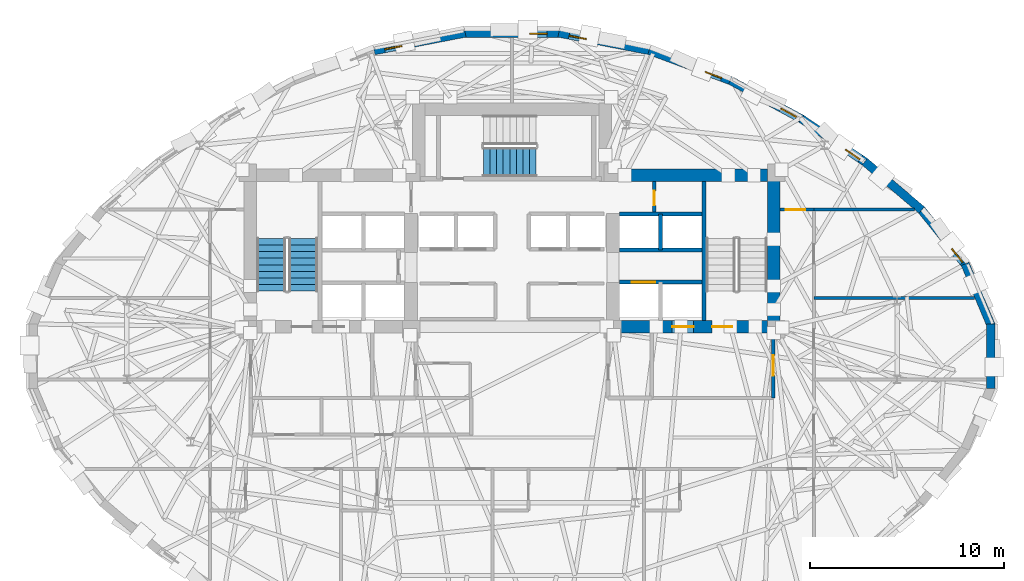
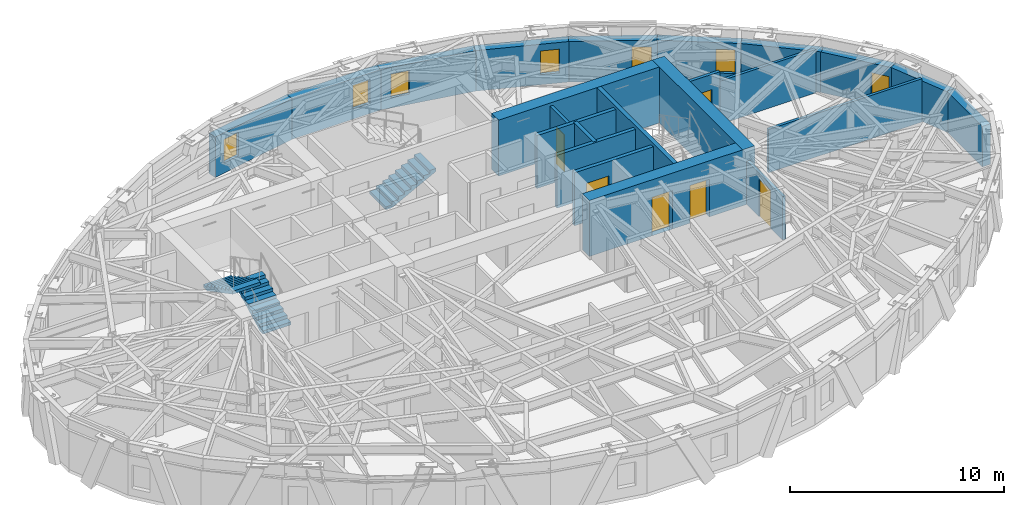
# One storey, part 9 of 14: 23 walls, 7 windows, 6 doors, 3 stair flights, 13 openings, 2 elements without a shape of their own.
"""IFC4 building model written with IfcOpenShell, lengths in metres."""

from ifc_helpers import new_model, si_unit, direction, frame, frame_2d, origin, place, context, subcontext, project, spatial, polyline, rectangle, outline, extrude, material, layer, layer_set, type_object, element, fill, aggregate, save


model = new_model("IFC4")

# Units and contexts
model_context = context("Model", 3, precision=1e-05, world=origin(), true_north=direction((0.0, 1.0)))
body_context = subcontext(model_context, "Body", "Model", "MODEL_VIEW")
ifc_project = project(units=[si_unit("LENGTHUNIT", "METRE"), si_unit("AREAUNIT", "SQUARE_METRE"), si_unit("VOLUMEUNIT", "CUBIC_METRE"), si_unit("PLANEANGLEUNIT", "RADIAN"), si_unit("MASSUNIT", "GRAM", prefix="KILO")], contexts=[model_context])

# Site, building, storey
site_placement = place(None, origin())
site = spatial("IfcSite", under=ifc_project, at=site_placement, CompositionType="ELEMENT")
building_placement = place(site_placement, origin())
building = spatial("IfcBuilding", under=site, at=building_placement, Name="Keldmark Tower", CompositionType="ELEMENT")
storey_placement = place(building_placement, frame((0.0, 0.0, 179.0)))
storey = spatial("IfcBuildingStorey", under=building, at=storey_placement, Name="L49", CompositionType="ELEMENT", Elevation=179.0)

# Wall, opening, door
ifc_material_1 = material(Name="Type X Fire-Rated Gypsum Partition Assembly", Category="gypsum")
ifc_layer_1 = layer(ifc_material_1, 0.1650390625)
ifc_layer_set_1 = layer_set([ifc_layer_1], Name="Type X Fire-Rated Gypsum Partition Assembly")
wall_type_1 = type_object("IfcWallType", Name="Rated Partition 165 mm", PredefinedType="PARTITIONING", material=ifc_layer_set_1)
wall_1_placement = place(storey_placement, frame((13.449951171875, -2.14990234375, 0.0), z_axis=(0.0, 0.0, 1.0), x_axis=(0.0, 1.0, 0.0)))
wall_1 = element("IfcWall", 1, at=wall_1_placement, inside=storey, type_object=wall_type_1, Name="L49 Rated Partition 165 mm FSAE-E-E", PredefinedType="PARTITIONING", context=body_context, shape_type="SweptSolid", body=[
    extrude(rectangle(XDim=3.39990234375, YDim=0.1650390625, at=frame_2d((1.699951171875, 0.0))), origin(), (0.0, 0.0, 1.0), 2.472900390625),
])
opening_1_placement = place(wall_1_placement, frame((1.14990234375, 0.0, 0.0)))
opening_1 = element("IfcOpeningElement", 2, at=opening_1_placement, cuts=wall_1, Name="Opening D-FL105", PredefinedType="OPENING", context=body_context, shape_type="SweptSolid", body=[
    extrude(rectangle(XDim=1.050048828125, YDim=2.14990234375, at=frame_2d((0.52490234375, 1.074951171875))), frame((0.0, 0.092529296875, 0.0), z_axis=(0.0, -1.0, 0.0), x_axis=(1.0, 0.0, 0.0)), (0.0, 0.0, 1.0), 0.18505859375),
])
ifc_material_2 = material(Name="Fire-Rated Mineral-Core Door and Vision Lite", Category="metal")
door_type_1 = type_object("IfcDoorType", Name="Fire Lobby Door 1050x2150", OperationType="NOTDEFINED", PredefinedType="DOOR", material=ifc_material_2)
door_1_placement = place(opening_1_placement, origin())
door_1 = element("IfcDoor", 3, at=door_1_placement, inside=storey, type_object=door_type_1, Name="L49 Fire Lobby Door 1050x2150 D-FSAEE-OUT-L49", OperationType="SINGLE_SWING_LEFT", OverallHeight=2.14990234375, OverallWidth=1.050048828125, PredefinedType="DOOR", context=body_context, shape_type="SweptSolid", body=[
    extrude(rectangle(XDim=1.050048828125, YDim=2.14990234375, at=frame_2d((0.52490234375, 1.074951171875))), frame((0.0, 0.02490234375, 0.0), z_axis=(0.0, -1.0, 0.0), x_axis=(1.0, 0.0, 0.0)), (0.0, 0.0, 1.0), 0.050048828125),
])
fill(opening_1, door_1)

wall_2_placement = place(storey_placement, frame((7.330078125, 7.419921875, 0.0), z_axis=(0.0, 0.0, 1.0), x_axis=(0.0, 1.0, 0.0)))
wall_2 = element("IfcWall", 4, at=wall_2_placement, inside=storey, type_object=wall_type_1, Name="L49 Rated Partition 165 mm CS-NE-W", PredefinedType="PARTITIONING", context=body_context, shape_type="SweptSolid", body=[
    extrude(rectangle(XDim=1.580078125, YDim=0.1650390625, at=frame_2d((0.7900390625, 0.0))), origin(), (0.0, 0.0, 1.0), 3.02001953125),
])
opening_2_placement = place(wall_2_placement, frame((0.35009765625, 0.0, 0.0)))
opening_2 = element("IfcOpeningElement", 5, at=opening_2_placement, cuts=wall_2, Name="Opening D-RS075", PredefinedType="OPENING", context=body_context, shape_type="SweptSolid", body=[
    extrude(rectangle(XDim=0.75, YDim=2.10009765625, at=frame_2d((0.375, 1.050048828125))), frame((0.0, 0.092529296875, 0.0), z_axis=(0.0, -1.0, 0.0), x_axis=(1.0, 0.0, 0.0)), (0.0, 0.0, 1.0), 0.18505859375),
])
ifc_material_3 = material(Name="Galvanized Fire-Rated Access Leaf", Category="metal")
door_type_2 = type_object("IfcDoorType", Name="Riser Access Door 750x2100", OperationType="NOTDEFINED", PredefinedType="DOOR", material=ifc_material_3)
door_2_placement = place(opening_2_placement, origin())
door_2 = element("IfcDoor", 6, at=door_2_placement, inside=storey, type_object=door_type_2, Name="L49 Riser Access Door 750x2100 D-CSNE1-L49", OperationType="SINGLE_SWING_LEFT", OverallHeight=2.10009765625, OverallWidth=0.75, PredefinedType="DOOR", context=body_context, shape_type="SweptSolid", body=[
    extrude(rectangle(XDim=0.75, YDim=2.10009765625, at=frame_2d((0.375, 1.050048828125))), frame((0.0, 0.02490234375, 0.0), z_axis=(0.0, -1.0, 0.0), x_axis=(1.0, 0.0, 0.0)), (0.0, 0.0, 1.0), 0.050048828125),
])
fill(opening_2, door_2)

wall_3_placement = place(storey_placement, frame((13.800048828125, 7.550048828125, 0.0), z_axis=(0.0, 0.0, 1.0), x_axis=(1.0, 0.0, 0.0)))
wall_3 = element("IfcWall", 7, at=wall_3_placement, inside=storey, type_object=wall_type_1, Name="L49 Rated Partition 165 mm HCOR-EN", PredefinedType="PARTITIONING", context=body_context, shape_type="SweptSolid", body=[
    extrude(rectangle(XDim=1.75, YDim=0.1650390625, at=frame_2d((0.875, 0.0))), origin(), (0.0, 0.0, 1.0), 3.02001953125),
])
opening_3_placement = place(wall_3_placement, frame((0.300048828125, 0.0, 0.0)))
opening_3 = element("IfcOpeningElement", 8, at=opening_3_placement, cuts=wall_3, Name="Opening D-FD100", PredefinedType="OPENING", context=body_context, shape_type="SweptSolid", body=[
    extrude(rectangle(XDim=1.0, YDim=2.14990234375, at=frame_2d((0.5, 1.074951171875))), frame((0.0, 0.092529296875, 0.0), z_axis=(0.0, -1.0, 0.0), x_axis=(1.0, 0.0, 0.0)), (0.0, 0.0, 1.0), 0.18505859375),
])
ifc_material_4 = material(Name="Hollow Metal Fire-Rated Corridor Door", Category="metal")
door_type_3 = type_object("IfcDoorType", Name="Fire Door 1000x2150", OperationType="NOTDEFINED", PredefinedType="DOOR", material=ifc_material_4)
door_3_placement = place(opening_3_placement, origin())
door_3 = element("IfcDoor", 9, at=door_3_placement, inside=storey, type_object=door_type_3, Name="L49 Fire Door 1000x2150 D-HNNE-L49", OperationType="SINGLE_SWING_RIGHT", OverallHeight=2.14990234375, OverallWidth=1.0, PredefinedType="DOOR", context=body_context, shape_type="SweptSolid", body=[
    extrude(rectangle(XDim=1.0, YDim=2.14990234375, at=frame_2d((0.5, 1.074951171875))), frame((0.0, 0.02490234375, 0.0), z_axis=(0.0, -1.0, 0.0), x_axis=(1.0, 0.0, 0.0)), (0.0, 0.0, 1.0), 0.050048828125),
])
fill(opening_3, door_3)

ifc_material_5 = material(Name="Fire-Resistant Type X Gypsum Shaftliner Coreboard", Category="gypsum")
ifc_layer_2 = layer(ifc_material_5, 0.199951171875)
ifc_layer_set_2 = layer_set([ifc_layer_2], Name="Fire-Resistant Type X Gypsum Shaftliner Coreboard")
wall_type_2 = type_object("IfcWallType", Name="Shaft Wall 200 mm", PredefinedType="SOLIDWALL", material=ifc_layer_set_2)
wall_4_placement = place(storey_placement, frame((5.52490234375, 3.820068359375, 0.0), z_axis=(0.0, 0.0, 1.0), x_axis=(1.0, 0.0, 0.0)))
wall_4 = element("IfcWall", 10, at=wall_4_placement, inside=storey, type_object=wall_type_2, Name="L49 Shaft Wall 200 mm HW-E-S", PredefinedType="SOLIDWALL", context=body_context, shape_type="SweptSolid", body=[
    extrude(rectangle(XDim=4.255126953125, YDim=0.199951171875, at=frame_2d((2.12744140625, 0.0))), origin(), (0.0, 0.0, 1.0), 3.02001953125),
])
opening_4_placement = place(wall_4_placement, frame((0.64990234375, 0.0, 0.0)))
opening_4 = element("IfcOpeningElement", 11, at=opening_4_placement, cuts=wall_4, Name="Opening LD-120", PredefinedType="OPENING", context=body_context, shape_type="SweptSolid", body=[
    extrude(rectangle(XDim=1.199951171875, YDim=2.199951171875, at=frame_2d((0.60009765625, 1.10009765625))), frame((0.0, 0.10986328125, 0.0), z_axis=(0.0, -1.0, 0.0), x_axis=(1.0, 0.0, 0.0)), (0.0, 0.0, 1.0), 0.219970703125),
])
ifc_material_6 = material(Name="Heavy-Duty Brushed Metal Hoistway Sliding Leaf", Category="metal")
door_type_4 = type_object("IfcDoorType", Name="Service Lift Sliding Door 1200x2200", OperationType="SLIDING_TO_RIGHT", PredefinedType="DOOR", material=ifc_material_6)
door_4_placement = place(opening_4_placement, origin())
door_4 = element("IfcDoor", 12, at=door_4_placement, inside=storey, type_object=door_type_4, Name="L49 Service Lift Sliding Door 1200x2200 LD-EL-SV1-L49", OperationType="SLIDING_TO_RIGHT", OverallHeight=2.199951171875, OverallWidth=1.199951171875, PredefinedType="DOOR", context=body_context, shape_type="SweptSolid", body=[
    extrude(rectangle(XDim=1.199951171875, YDim=2.199951171875, at=frame_2d((0.60009765625, 1.10009765625))), frame((0.0, 0.02490234375, 0.0), z_axis=(0.0, -1.0, 0.0), x_axis=(1.0, 0.0, 0.0)), (0.0, 0.0, 1.0), 0.050048828125),
])
fill(opening_4, door_4)

# Walls
for number, where, z_axis, x_axis, name in (
    (13, (5.52490234375, 5.469970703125, 0.0), (0.0, 0.0, 1.0), (1.0, 0.0, 0.0), "L49 Shaft Wall 200 mm HW-E-N"),
    (14, (5.52490234375, 7.330078125, 0.0), (0.0, 0.0, 1.0), (1.0, 0.0, 0.0), "L49 Shaft Wall 200 mm HW-E-TOP"),
):
    element("IfcWall", number, at=place(storey_placement, frame(where, z_axis=z_axis, x_axis=x_axis)), inside=storey, type_object=wall_type_2, Name=name, PredefinedType="SOLIDWALL", context=body_context, shape_type="SweptSolid", body=[
        extrude(rectangle(XDim=4.255126953125, YDim=0.199951171875, at=frame_2d((2.12744140625, 0.0))), origin(), (0.0, 0.0, 1.0), 3.02001953125),
    ])
wall_5_placement = place(storey_placement, frame((7.64990234375, 5.469970703125, 0.0), z_axis=(0.0, 0.0, 1.0), x_axis=(0.0, 1.0, 0.0)))
element("IfcWall", 15, at=wall_5_placement, inside=storey, type_object=wall_type_2, Name="L49 Shaft Wall 200 mm HW-E-NM", PredefinedType="SOLIDWALL", context=body_context, shape_type="SweptSolid", body=[
    extrude(rectangle(XDim=1.860107421875, YDim=0.199951171875, at=frame_2d((0.93017578125, 0.0))), origin(), (0.0, 0.0, 1.0), 3.02001953125),
])
ifc_material_7 = material(Name="Concrete C50/60", Category="concrete")
ifc_layer_3 = layer(ifc_material_7, 0.219970703125)
ifc_layer_set_3 = layer_set([ifc_layer_3], Name="Concrete C50/60")
wall_type_3 = type_object("IfcWallType", Name="Stair Core Shear Wall 220 mm", PredefinedType="SHEAR", material=ifc_layer_set_3)
wall_6_placement = place(storey_placement, frame((9.889892578125, 1.85009765625, 0.0), z_axis=(0.0, 0.0, 1.0), x_axis=(0.0, 1.0, 0.0)))
element("IfcWall", 16, at=wall_6_placement, inside=storey, type_object=wall_type_3, Name="L49 East Stair Core Shear Wall", PredefinedType="SHEAR", context=body_context, shape_type="SweptSolid", body=[
    extrude(rectangle(XDim=7.14990234375, YDim=0.219970703125, at=frame_2d((3.574951171875, 0.0))), origin(), (0.0, 0.0, 1.0), 3.199951171875),
])
ifc_material_8 = material(Name="Ironspot Manganese Brick and Kasota Buff Limestone Spandrel Assembly", Category="masonry")
ifc_layer_4 = layer(ifc_material_8, 0.43994140625)
ifc_layer_set_4 = layer_set([ifc_layer_4], Name="Ironspot Manganese Brick and Kasota Buff Limestone Spandrel Assembly")
wall_type_4 = type_object("IfcWallType", Name="Tower Brick Pier and Spandrel Wall 440 mm", PredefinedType="STANDARD", material=ifc_layer_set_4)
wall_7_placement = place(storey_placement, frame((23.33544921875, 4.7548828125, 0.0), z_axis=(0.0, 0.0, 1.0), x_axis=(0.388360687569, -0.9215074478, 0.0)))
element("IfcWall", 17, at=wall_7_placement, inside=storey, type_object=wall_type_4, Name="L49 Exterior Brick and Spandrel Wall 01", PredefinedType="STANDARD", context=body_context, shape_type="SweptSolid", body=[
    extrude(rectangle(XDim=3.449951171875, YDim=0.43994140625, at=frame_2d((1.72509765625, 0.0))), origin(), (0.0, 0.0, 1.0), 2.31494140625),
])

# Wall, opening, window
wall_8_placement = place(storey_placement, frame((21.06982421875, 7.558837890625, 0.0), z_axis=(0.0, 0.0, 1.0), x_axis=(0.626642586146, -0.779306787618, 0.0)))
wall_8 = element("IfcWall", 18, at=wall_8_placement, inside=storey, type_object=wall_type_4, Name="L49 Exterior Brick and Spandrel Wall 02", PredefinedType="STANDARD", context=body_context, shape_type="SweptSolid", body=[
    extrude(rectangle(XDim=3.665283203125, YDim=0.43994140625, at=frame_2d((1.83251953125, 0.0))), origin(), (0.0, 0.0, 1.0), 2.31494140625),
])
opening_5_placement = place(wall_8_placement, frame((2.565185546875, 0.0, 0.419921875)))
opening_5 = element("IfcOpeningElement", 19, at=opening_5_placement, cuts=wall_8, Name="Opening W-09", PredefinedType="OPENING", context=body_context, shape_type="SweptSolid", body=[
    extrude(rectangle(XDim=0.89990234375, YDim=1.35009765625, at=frame_2d((0.449951171875, 0.675048828125))), frame((0.0, 0.22998046875, 0.0), z_axis=(0.0, -1.0, 0.0), x_axis=(1.0, 0.0, 0.0)), (0.0, 0.0, 1.0), 0.4599609375),
])
ifc_material_9 = material(Name="Thermally Broken Anodized Aluminum and Triple Low-E Argon Glazing", Category="aluminium")
window_type = type_object("IfcWindowType", Name="Corner Pier Deep-Set Window 900x1350", PartitioningType="SINGLE_PANEL", PredefinedType="WINDOW", material=ifc_material_9)
window_1_placement = place(opening_5_placement, origin())
window_1 = element("IfcWindow", 20, at=window_1_placement, inside=storey, type_object=window_type, Name="L49 Deep-Set Window 02", OverallHeight=1.35009765625, OverallWidth=0.89990234375, PartitioningType="SINGLE_PANEL", PredefinedType="WINDOW", context=body_context, shape_type="SweptSolid", body=[
    extrude(rectangle(XDim=0.89990234375, YDim=1.35009765625, at=frame_2d((0.449951171875, 0.675048828125))), frame((0.0, -0.010009765625, 0.0), z_axis=(0.0, -1.0, 0.0), x_axis=(1.0, 0.0, 0.0)), (0.0, 0.0, 1.0), 0.06005859375),
])
fill(opening_5, window_1)

# Wall
wall_9_placement = place(storey_placement, frame((18.165771484375, 10.017822265625, 0.0), z_axis=(0.0, 0.0, 1.0), x_axis=(0.762499647343, -0.646988630349, 0.0)))
element("IfcWall", 21, at=wall_9_placement, inside=storey, type_object=wall_type_4, Name="L49 Exterior Brick and Spandrel Wall 03", PredefinedType="STANDARD", context=body_context, shape_type="SweptSolid", body=[
    extrude(rectangle(XDim=3.8466796875, YDim=0.43994140625, at=frame_2d((1.92333984375, 0.0))), origin(), (0.0, 0.0, 1.0), 2.31494140625),
])

# Wall, opening, window
wall_10_placement = place(storey_placement, frame((14.901611328125, 12.22900390625, 0.0), z_axis=(0.0, 0.0, 1.0), x_axis=(0.827725942945, -0.561132572015, 0.0)))
wall_10 = element("IfcWall", 22, at=wall_10_placement, inside=storey, type_object=wall_type_4, Name="L49 Exterior Brick and Spandrel Wall 04", PredefinedType="STANDARD", context=body_context, shape_type="SweptSolid", body=[
    extrude(rectangle(XDim=3.96630859375, YDim=0.43994140625, at=frame_2d((1.983154296875, 0.0))), origin(), (0.0, 0.0, 1.0), 2.31494140625),
])
opening_6_placement = place(wall_10_placement, frame((2.767578125, 0.0, 0.580078125)))
opening_6 = element("IfcOpeningElement", 23, at=opening_6_placement, cuts=wall_10, Name="Opening W-09", PredefinedType="OPENING", context=body_context, shape_type="SweptSolid", body=[
    extrude(rectangle(XDim=0.89990234375, YDim=1.35009765625, at=frame_2d((0.449951171875, 0.675048828125))), frame((0.0, 0.22998046875, 0.0), z_axis=(0.0, -1.0, 0.0), x_axis=(1.0, 0.0, 0.0)), (0.0, 0.0, 1.0), 0.4599609375),
])
window_2_placement = place(opening_6_placement, origin())
window_2 = element("IfcWindow", 24, at=window_2_placement, inside=storey, type_object=window_type, Name="L49 Deep-Set Window 04", OverallHeight=1.35009765625, OverallWidth=0.89990234375, PartitioningType="SINGLE_PANEL", PredefinedType="WINDOW", context=body_context, shape_type="SweptSolid", body=[
    extrude(rectangle(XDim=0.89990234375, YDim=1.35009765625, at=frame_2d((0.449951171875, 0.675048828125))), frame((0.0, -0.010009765625, 0.0), z_axis=(0.0, -1.0, 0.0), x_axis=(1.0, 0.0, 0.0)), (0.0, 0.0, 1.0), 0.06005859375),
])
fill(opening_6, window_2)

wall_11_placement = place(storey_placement, frame((11.248779296875, 14.206298828125, 0.0), z_axis=(0.0, 0.0, 1.0), x_axis=(0.879306250646, -0.476256776933, 0.0)))
wall_11 = element("IfcWall", 25, at=wall_11_placement, inside=storey, type_object=wall_type_4, Name="L49 Exterior Brick and Spandrel Wall 05", PredefinedType="STANDARD", context=body_context, shape_type="SweptSolid", body=[
    extrude(rectangle(XDim=4.17529296875, YDim=0.43994140625, at=frame_2d((2.087646484375, 0.0))), origin(), (0.0, 0.0, 1.0), 2.31494140625),
])
opening_7_placement = place(wall_11_placement, frame((2.97607421875, 0.0, 0.580078125)))
opening_7 = element("IfcOpeningElement", 26, at=opening_7_placement, cuts=wall_11, Name="Opening W-09", PredefinedType="OPENING", context=body_context, shape_type="SweptSolid", body=[
    extrude(rectangle(XDim=0.89990234375, YDim=1.35009765625, at=frame_2d((0.449951171875, 0.675048828125))), frame((0.0, 0.22998046875, 0.0), z_axis=(0.0, -1.0, 0.0), x_axis=(1.0, 0.0, 0.0)), (0.0, 0.0, 1.0), 0.4599609375),
])
window_3_placement = place(opening_7_placement, origin())
window_3 = element("IfcWindow", 27, at=window_3_placement, inside=storey, type_object=window_type, Name="L49 Deep-Set Window 05", OverallHeight=1.35009765625, OverallWidth=0.89990234375, PartitioningType="SINGLE_PANEL", PredefinedType="WINDOW", context=body_context, shape_type="SweptSolid", body=[
    extrude(rectangle(XDim=0.89990234375, YDim=1.35009765625, at=frame_2d((0.449951171875, 0.675048828125))), frame((0.0, -0.010009765625, 0.0), z_axis=(0.0, -1.0, 0.0), x_axis=(1.0, 0.0, 0.0)), (0.0, 0.0, 1.0), 0.06005859375),
])
fill(opening_7, window_3)

wall_12_placement = place(storey_placement, frame((7.06396484375, 15.75048828125, 0.0), z_axis=(0.0, 0.0, 1.0), x_axis=(0.937993730452, -0.346652220004, 0.0)))
wall_12 = element("IfcWall", 28, at=wall_12_placement, inside=storey, type_object=wall_type_4, Name="L49 Exterior Brick and Spandrel Wall 06", PredefinedType="STANDARD", context=body_context, shape_type="SweptSolid", body=[
    extrude(rectangle(XDim=4.491943359375, YDim=0.43994140625, at=frame_2d((2.24609375, 0.0))), origin(), (0.0, 0.0, 1.0), 2.31494140625),
])
opening_8_placement = place(wall_12_placement, frame((3.0927734375, 0.0, 0.580078125)))
opening_8 = element("IfcOpeningElement", 29, at=opening_8_placement, cuts=wall_12, Name="Opening W-09", PredefinedType="OPENING", context=body_context, shape_type="SweptSolid", body=[
    extrude(rectangle(XDim=0.89990234375, YDim=1.35009765625, at=frame_2d((0.449951171875, 0.675048828125))), frame((0.0, 0.22998046875, 0.0), z_axis=(0.0, -1.0, 0.0), x_axis=(1.0, 0.0, 0.0)), (0.0, 0.0, 1.0), 0.4599609375),
])
window_4_placement = place(opening_8_placement, origin())
window_4 = element("IfcWindow", 30, at=window_4_placement, inside=storey, type_object=window_type, Name="L49 Deep-Set Window 06", OverallHeight=1.35009765625, OverallWidth=0.89990234375, PartitioningType="SINGLE_PANEL", PredefinedType="WINDOW", context=body_context, shape_type="SweptSolid", body=[
    extrude(rectangle(XDim=0.89990234375, YDim=1.35009765625, at=frame_2d((0.449951171875, 0.675048828125))), frame((0.0, -0.010009765625, 0.0), z_axis=(0.0, -1.0, 0.0), x_axis=(1.0, 0.0, 0.0)), (0.0, 0.0, 1.0), 0.06005859375),
])
fill(opening_8, window_4)

wall_13_placement = place(storey_placement, frame((2.408447265625, 16.649169921875, 0.0), z_axis=(0.0, 0.0, 1.0), x_axis=(0.981751851942, -0.190166509166, 0.0)))
wall_13 = element("IfcWall", 31, at=wall_13_placement, inside=storey, type_object=wall_type_4, Name="L49 Exterior Brick and Spandrel Wall 07", PredefinedType="STANDARD", context=body_context, shape_type="SweptSolid", body=[
    extrude(rectangle(XDim=4.777099609375, YDim=0.43994140625, at=frame_2d((2.388671875, 0.0))), origin(), (0.0, 0.0, 1.0), 2.31494140625),
])
opening_9_placement = place(wall_13_placement, frame((0.547607421875, 0.0, 0.580078125)))
opening_9 = element("IfcOpeningElement", 32, at=opening_9_placement, cuts=wall_13, Name="Opening W-09", PredefinedType="OPENING", context=body_context, shape_type="SweptSolid", body=[
    extrude(rectangle(XDim=0.89990234375, YDim=1.35009765625, at=frame_2d((0.449951171875, 0.675048828125))), frame((0.0, 0.22998046875, 0.0), z_axis=(0.0, -1.0, 0.0), x_axis=(1.0, 0.0, 0.0)), (0.0, 0.0, 1.0), 0.4599609375),
])
window_5_placement = place(opening_9_placement, origin())
window_5 = element("IfcWindow", 33, at=window_5_placement, inside=storey, type_object=window_type, Name="L49 Deep-Set Window 07", OverallHeight=1.35009765625, OverallWidth=0.89990234375, PartitioningType="SINGLE_PANEL", PredefinedType="WINDOW", context=body_context, shape_type="SweptSolid", body=[
    extrude(rectangle(XDim=0.89990234375, YDim=1.35009765625, at=frame_2d((0.449951171875, 0.675048828125))), frame((0.0, -0.010009765625, 0.0), z_axis=(0.0, -1.0, 0.0), x_axis=(1.0, 0.0, 0.0)), (0.0, 0.0, 1.0), 0.06005859375),
])
fill(opening_9, window_5)

wall_14_placement = place(storey_placement, frame((-2.4501953125, 16.64501953125, 0.0), z_axis=(0.0, 0.0, 1.0), x_axis=(1.0, 0.0, 0.0)))
wall_14 = element("IfcWall", 34, at=wall_14_placement, inside=storey, type_object=wall_type_4, Name="L49 Exterior Brick and Spandrel Wall 08", PredefinedType="STANDARD", context=body_context, shape_type="SweptSolid", body=[
    extrude(rectangle(XDim=4.900390625, YDim=0.43994140625, at=frame_2d((2.4501953125, 0.0))), origin(), (0.0, 0.0, 1.0), 2.31494140625),
])
opening_10_placement = place(wall_14_placement, frame((3.356689453125, 0.0, 0.580078125)))
opening_10 = element("IfcOpeningElement", 35, at=opening_10_placement, cuts=wall_14, Name="Opening W-09", PredefinedType="OPENING", context=body_context, shape_type="SweptSolid", body=[
    extrude(rectangle(XDim=0.89990234375, YDim=1.35009765625, at=frame_2d((0.449951171875, 0.675048828125))), frame((0.0, 0.22998046875, 0.0), z_axis=(0.0, -1.0, 0.0), x_axis=(1.0, 0.0, 0.0)), (0.0, 0.0, 1.0), 0.4599609375),
])
window_6_placement = place(opening_10_placement, origin())
window_6 = element("IfcWindow", 36, at=window_6_placement, inside=storey, type_object=window_type, Name="L49 Deep-Set Window 08", OverallHeight=1.35009765625, OverallWidth=0.89990234375, PartitioningType="SINGLE_PANEL", PredefinedType="WINDOW", context=body_context, shape_type="SweptSolid", body=[
    extrude(rectangle(XDim=0.89990234375, YDim=1.35009765625, at=frame_2d((0.449951171875, 0.675048828125))), frame((0.0, -0.010009765625, 0.0), z_axis=(0.0, -1.0, 0.0), x_axis=(1.0, 0.0, 0.0)), (0.0, 0.0, 1.0), 0.06005859375),
])
fill(opening_10, window_6)

wall_15_placement = place(storey_placement, frame((-7.098388671875, 15.74072265625, 0.0), z_axis=(0.0, 0.0, 1.0), x_axis=(0.981751851942, 0.190166509166, 0.0)))
wall_15 = element("IfcWall", 37, at=wall_15_placement, inside=storey, type_object=wall_type_4, Name="L49 Exterior Brick and Spandrel Wall 09", PredefinedType="STANDARD", context=body_context, shape_type="SweptSolid", body=[
    extrude(rectangle(XDim=4.777099609375, YDim=0.43994140625, at=frame_2d((2.388671875, 0.0))), origin(), (0.0, 0.0, 1.0), 2.31494140625),
])
opening_11_placement = place(wall_15_placement, frame((0.547607421875, 0.0, 0.580078125)))
opening_11 = element("IfcOpeningElement", 38, at=opening_11_placement, cuts=wall_15, Name="Opening W-09", PredefinedType="OPENING", context=body_context, shape_type="SweptSolid", body=[
    extrude(rectangle(XDim=0.89990234375, YDim=1.35009765625, at=frame_2d((0.449951171875, 0.675048828125))), frame((0.0, 0.22998046875, 0.0), z_axis=(0.0, -1.0, 0.0), x_axis=(1.0, 0.0, 0.0)), (0.0, 0.0, 1.0), 0.4599609375),
])
window_7_placement = place(opening_11_placement, origin())
window_7 = element("IfcWindow", 39, at=window_7_placement, inside=storey, type_object=window_type, Name="L49 Deep-Set Window 09", OverallHeight=1.35009765625, OverallWidth=0.89990234375, PartitioningType="SINGLE_PANEL", PredefinedType="WINDOW", context=body_context, shape_type="SweptSolid", body=[
    extrude(rectangle(XDim=0.89990234375, YDim=1.35009765625, at=frame_2d((0.449951171875, 0.675048828125))), frame((0.0, -0.010009765625, 0.0), z_axis=(0.0, -1.0, 0.0), x_axis=(1.0, 0.0, 0.0)), (0.0, 0.0, 1.0), 0.06005859375),
])
fill(opening_11, window_7)

# Walls
wall_16_placement = place(storey_placement, frame((24.657958984375, 1.6611328125, 0.0), z_axis=(0.0, 0.0, 1.0), x_axis=(0.0, -1.0, 0.0)))
element("IfcWall", 40, at=wall_16_placement, inside=storey, type_object=wall_type_4, Name="L49 Exterior Brick and Spandrel Wall 32", PredefinedType="STANDARD", context=body_context, shape_type="SweptSolid", body=[
    extrude(rectangle(XDim=3.322265625, YDim=0.43994140625, at=frame_2d((1.6611328125, 0.0))), origin(), (0.0, 0.0, 1.0), 2.31494140625),
])
ifc_material_10 = material(Name="Concrete C50/60", Category="concrete")
ifc_layer_5 = layer(ifc_material_10, 0.64990234375)
ifc_layer_set_5 = layer_set([ifc_layer_5], Name="Concrete C50/60")
wall_type_5 = type_object("IfcWallType", Name="Upper-Mid Core Shear Wall 650 mm", PredefinedType="SHEAR", material=ifc_layer_set_5)
wall_17_placement = place(storey_placement, frame((13.47509765625, 1.199951171875, 0.0), z_axis=(0.0, 0.0, 1.0), x_axis=(0.0, 1.0, 0.0)))
element("IfcWall", 41, at=wall_17_placement, inside=storey, type_object=wall_type_5, Name="L49 East Core Outer Shear Wall", PredefinedType="SHEAR", context=body_context, shape_type="SweptSolid", body=[
    extrude(rectangle(XDim=8.449951171875, YDim=0.64990234375, at=frame_2d((4.22509765625, 0.0))), origin(), (0.0, 0.0, 1.0), 3.199951171875),
])
wall_18_placement = place(storey_placement, frame((4.47509765625, 9.324951171875, 0.0), z_axis=(0.0, 0.0, 1.0), x_axis=(1.0, 0.0, 0.0)))
element("IfcWall", 42, at=wall_18_placement, inside=storey, type_object=wall_type_5, Name="L49 East Core North Shear Wall", PredefinedType="SHEAR", context=body_context, shape_type="SweptSolid", body=[
    extrude(rectangle(XDim=9.324951171875, YDim=0.64990234375, at=frame_2d((4.66259765625, 0.0))), origin(), (0.0, 0.0, 1.0), 3.199951171875),
])

# Wall, openings, doors
wall_19_placement = place(storey_placement, frame((13.800048828125, 1.52490234375, 0.0), z_axis=(0.0, 0.0, 1.0), x_axis=(-1.0, 0.0, 0.0)))
wall_19 = element("IfcWall", 43, at=wall_19_placement, inside=storey, type_object=wall_type_5, Name="L49 East Core South Shear Wall", PredefinedType="SHEAR", context=body_context, shape_type="SweptSolid", body=[
    extrude(rectangle(XDim=8.925048828125, YDim=0.64990234375, at=frame_2d((4.46240234375, 0.0))), origin(), (0.0, 0.0, 1.0), 3.199951171875),
])
opening_12_placement = place(wall_19_placement, frame((2.449951171875, 0.0, 0.0)))
opening_12 = element("IfcOpeningElement", 44, at=opening_12_placement, cuts=wall_19, Name="Opening D-ST105", PredefinedType="OPENING", context=body_context, shape_type="SweptSolid", body=[
    extrude(rectangle(XDim=1.050048828125, YDim=2.14990234375, at=frame_2d((0.52490234375, 1.074951171875))), frame((0.0, 0.3349609375, 0.0), z_axis=(0.0, -1.0, 0.0), x_axis=(1.0, 0.0, 0.0)), (0.0, 0.0, 1.0), 0.669921875),
])
opening_13_placement = place(wall_19_placement, frame((4.449951171875, 0.0, 0.0)))
opening_13 = element("IfcOpeningElement", 45, at=opening_13_placement, cuts=wall_19, Name="Opening LD-110", PredefinedType="OPENING", context=body_context, shape_type="SweptSolid", body=[
    extrude(rectangle(XDim=1.10009765625, YDim=2.199951171875, at=frame_2d((0.550048828125, 1.10009765625))), frame((0.0, 0.3349609375, 0.0), z_axis=(0.0, -1.0, 0.0), x_axis=(1.0, 0.0, 0.0)), (0.0, 0.0, 1.0), 0.669921875),
])
ifc_material_11 = material(Name="Brushed Bronze Hoistway Sliding Leaf", Category="metal")
door_type_5 = type_object("IfcDoorType", Name="Lift Landing Sliding Door 1100x2200", OperationType="SLIDING_TO_LEFT", PredefinedType="DOOR", material=ifc_material_11)
door_5_placement = place(opening_13_placement, origin())
door_5 = element("IfcDoor", 46, at=door_5_placement, inside=storey, type_object=door_type_5, Name="L49 Lift Landing Sliding Door 1100x2200 LD-EL-FS2-L49", OperationType="SLIDING_TO_LEFT", OverallHeight=2.199951171875, OverallWidth=1.10009765625, PredefinedType="DOOR", context=body_context, shape_type="SweptSolid", body=[
    extrude(rectangle(XDim=1.10009765625, YDim=2.199951171875, at=frame_2d((0.550048828125, 1.10009765625))), frame((0.0, 0.02490234375, 0.0), z_axis=(0.0, -1.0, 0.0), x_axis=(1.0, 0.0, 0.0)), (0.0, 0.0, 1.0), 0.050048828125),
])
fill(opening_13, door_5)
ifc_material_12 = material(Name="Hollow Metal Fire-Rated Door Assembly", Category="metal")
door_type_6 = type_object("IfcDoorType", Name="Stair Fire Door 1050x2150", OperationType="NOTDEFINED", PredefinedType="DOOR", material=ifc_material_12)
door_6_placement = place(opening_12_placement, origin())
door_6 = element("IfcDoor", 47, at=door_6_placement, inside=storey, type_object=door_type_6, Name="L49 Stair Fire Door 1050x2150 D-ST2-L49", OperationType="SINGLE_SWING_LEFT", OverallHeight=2.14990234375, OverallWidth=1.050048828125, PredefinedType="DOOR", context=body_context, shape_type="SweptSolid", body=[
    extrude(rectangle(XDim=1.050048828125, YDim=2.14990234375, at=frame_2d((0.52490234375, 1.074951171875))), frame((0.0, 0.02490234375, 0.0), z_axis=(0.0, -1.0, 0.0), x_axis=(1.0, 0.0, 0.0)), (0.0, 0.0, 1.0), 0.050048828125),
])
fill(opening_12, door_6)

# Walls
ifc_material_13 = material(Name="Moisture-Resistant Gypsum Plumbing Partition", Category="gypsum")
ifc_layer_6 = layer(ifc_material_13, 0.14990234375)
ifc_layer_set_6 = layer_set([ifc_layer_6], Name="Moisture-Resistant Gypsum Plumbing Partition")
wall_type_6 = type_object("IfcWallType", Name="Wet Wall 150 mm", PredefinedType="PLUMBINGWALL", material=ifc_layer_set_6)
wall_20_placement = place(storey_placement, frame((15.550048828125, 7.550048828125, 0.0), z_axis=(0.0, 0.0, 1.0), x_axis=(1.0, 0.0, 0.0)))
element("IfcWall", 48, at=wall_20_placement, inside=storey, type_object=wall_type_6, Name="L49 Wet Wall 150 mm HE-CAP-N", PredefinedType="PLUMBINGWALL", context=body_context, shape_type="SweptSolid", body=[
    extrude(rectangle(XDim=5.171630859375, YDim=0.14990234375, at=frame_2d((2.5859375, 0.0))), origin(), (0.0, 0.0, 1.0), 2.472900390625),
])
wall_21_placement = place(storey_placement, frame((15.550048828125, 3.0, 0.0), z_axis=(0.0, 0.0, 1.0), x_axis=(1.0, 0.0, 0.0)))
element("IfcWall", 49, at=wall_21_placement, inside=storey, type_object=wall_type_6, Name="L49 Wet Wall 150 mm HE-DIV-2", PredefinedType="PLUMBINGWALL", context=body_context, shape_type="SweptSolid", body=[
    extrude(rectangle(XDim=8.277587890625, YDim=0.14990234375, at=frame_2d((4.138671875, 0.0))), origin(), (0.0, 0.0, 1.0), 2.472900390625),
])

# Stair, stair flights
ifc_material_14 = material(Name="Concrete C40/50", Category="concrete")
stair_type = type_object("IfcStairType", Name="Precast Concrete Core Exit Stair", PredefinedType="HALF_TURN_STAIR", material=ifc_material_14)
stair_1_placement = place(storey_placement, origin())
stair_1 = element("IfcStair", 50, at=stair_1_placement, inside=storey, type_object=stair_type, Name="L49 Exit Stair ST1", PredefinedType="HALF_TURN_STAIR")
ifc_material_15 = material(Name="Concrete C40/50", Category="concrete")
stair_flight_type = type_object("IfcStairFlightType", Name="Precast Concrete Stair Flight 1500 mm", PredefinedType="STRAIGHT", material=ifc_material_15)
stair_flight_1_placement = place(storey_placement, frame((-10.75, 3.35009765625, 0.0), z_axis=(0.0, 0.0, 1.0), x_axis=(0.0, 1.0, 0.0)))
stair_flight_1 = element("IfcStairFlight", 51, at=stair_flight_1_placement, type_object=stair_flight_type, Name="ST1 flight 1", NumberOfRisers=9, NumberOfTreads=8, PredefinedType="STRAIGHT", RiserHeight=0.177777778, TreadLength=0.34, context=body_context, shape_type="SweptSolid", body=[
    extrude(outline(polyline([(0.0, 0.0), (0.0, 0.177734375), (0.340087890625, 0.177734375), (0.340087890625, 0.35546875), (0.679931640625, 0.35546875), (0.679931640625, 0.533447265625), (1.02001953125, 0.533447265625), (1.02001953125, 0.711181640625), (1.360107421875, 0.711181640625), (1.360107421875, 0.888916015625), (1.699951171875, 0.888916015625), (1.699951171875, 1.066650390625), (2.0400390625, 1.066650390625), (2.0400390625, 1.244384765625), (2.3798828125, 1.244384765625), (2.3798828125, 1.422119140625), (2.719970703125, 1.422119140625), (2.719970703125, 1.60009765625), (2.719970703125, 1.253173828125), (0.323486328125, 0.0), (0.0, 0.0)])), frame((0.0, 0.75, 0.0), z_axis=(0.0, -1.0, 0.0), x_axis=(1.0, 0.0, 0.0)), (0.0, 0.0, 1.0), 1.5),
])
stair_flight_2_placement = place(storey_placement, frame((-12.39990234375, 6.070068359375, 1.60009765625), z_axis=(0.0, 0.0, 1.0), x_axis=(0.0, -1.0, 0.0)))
stair_flight_2 = element("IfcStairFlight", 52, at=stair_flight_2_placement, type_object=stair_flight_type, Name="ST1 flight 2", NumberOfRisers=9, NumberOfTreads=8, PredefinedType="STRAIGHT", RiserHeight=0.177777778, TreadLength=0.34, context=body_context, shape_type="SweptSolid", body=[
    extrude(outline(polyline([(0.0, 0.0), (0.0, 0.177734375), (0.340087890625, 0.177734375), (0.340087890625, 0.35546875), (0.679931640625, 0.35546875), (0.679931640625, 0.533447265625), (1.02001953125, 0.533447265625), (1.02001953125, 0.711181640625), (1.360107421875, 0.711181640625), (1.360107421875, 0.888916015625), (1.699951171875, 0.888916015625), (1.699951171875, 1.066650390625), (2.0400390625, 1.066650390625), (2.0400390625, 1.244384765625), (2.3798828125, 1.244384765625), (2.3798828125, 1.422119140625), (2.719970703125, 1.422119140625), (2.719970703125, 1.60009765625), (2.719970703125, 1.253173828125), (0.323486328125, 0.0), (0.0, 0.0)])), frame((0.0, 0.75, 0.0), z_axis=(0.0, -1.0, 0.0), x_axis=(1.0, 0.0, 0.0)), (0.0, 0.0, 1.0), 1.5),
])
aggregate(stair_1, [stair_flight_1, stair_flight_2])

# Stair, stair flight
stair_2_placement = place(storey_placement, origin())
stair_2 = element("IfcStair", 53, at=stair_2_placement, inside=storey, type_object=stair_type, Name="L49 Exit Stair ST3", PredefinedType="HALF_TURN_STAIR")
stair_flight_3_placement = place(storey_placement, frame((-1.47509765625, 10.0, 0.0), z_axis=(0.0, 0.0, 1.0), x_axis=(1.0, 0.0, 0.0)))
stair_flight_3 = element("IfcStairFlight", 54, at=stair_flight_3_placement, type_object=stair_flight_type, Name="ST3 flight 1", NumberOfRisers=9, NumberOfTreads=8, PredefinedType="STRAIGHT", RiserHeight=0.177777778, TreadLength=0.34, context=body_context, shape_type="SweptSolid", body=[
    extrude(outline(polyline([(0.0, 0.0), (0.0, 0.177734375), (0.340087890625, 0.177734375), (0.340087890625, 0.35546875), (0.679931640625, 0.35546875), (0.679931640625, 0.533447265625), (1.02001953125, 0.533447265625), (1.02001953125, 0.711181640625), (1.360107421875, 0.711181640625), (1.360107421875, 0.888916015625), (1.699951171875, 0.888916015625), (1.699951171875, 1.066650390625), (2.0400390625, 1.066650390625), (2.0400390625, 1.244384765625), (2.3798828125, 1.244384765625), (2.3798828125, 1.422119140625), (2.719970703125, 1.422119140625), (2.719970703125, 1.60009765625), (2.719970703125, 1.253173828125), (0.323486328125, 0.0), (0.0, 0.0)])), frame((0.0, 0.75, 0.0), z_axis=(0.0, -1.0, 0.0), x_axis=(1.0, 0.0, 0.0)), (0.0, 0.0, 1.0), 1.5),
])
aggregate(stair_2, [stair_flight_3])

save(model, "model.ifc")
